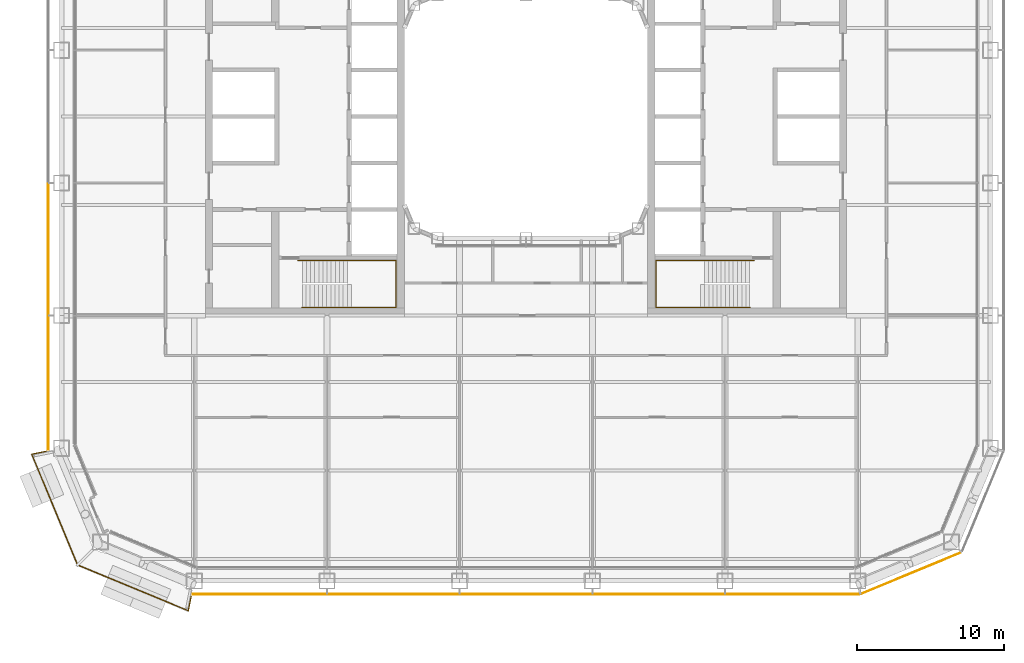
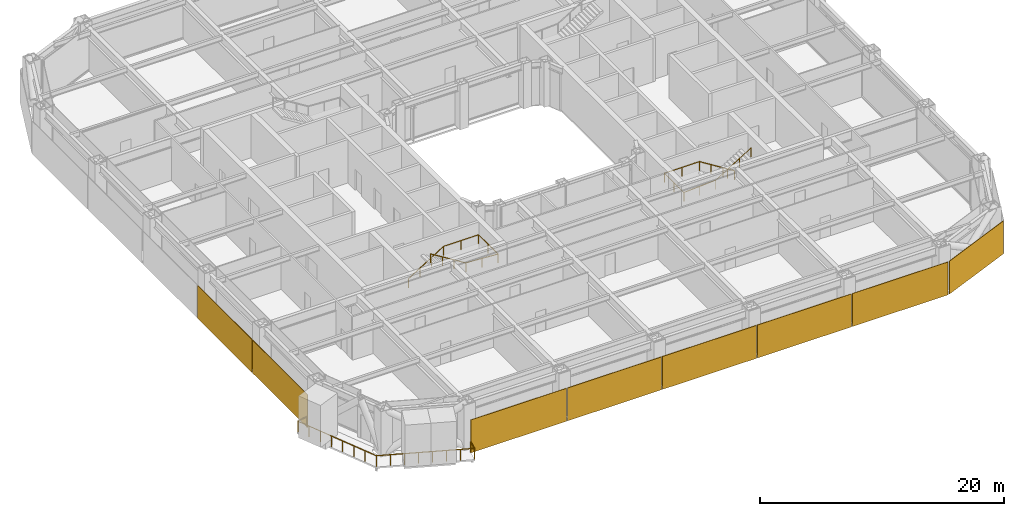
# One storey, part 23 of 27: 8 coverings, 3 railings.
"""IFC4 building model written with IfcOpenShell, lengths in metres."""

from ifc_helpers import new_model, si_unit, direction, frame, origin, origin_2d, place, context, subcontext, project, spatial, rectangle, circle, extrude, material, layer, layer_set, type_object, element, save


model = new_model("IFC4")

# Units and contexts
model_context = context("Model", 3, precision=1e-05, world=origin(), true_north=direction((0.0, 1.0)))
body_context = subcontext(model_context, "Body", "Model", "MODEL_VIEW")
ifc_project = project(units=[si_unit("LENGTHUNIT", "METRE"), si_unit("AREAUNIT", "SQUARE_METRE"), si_unit("VOLUMEUNIT", "CUBIC_METRE"), si_unit("PLANEANGLEUNIT", "RADIAN"), si_unit("MASSUNIT", "GRAM", prefix="KILO")], contexts=[model_context])

# Site, building, storey
site_placement = place(None, origin())
site = spatial("IfcSite", under=ifc_project, at=site_placement, CompositionType="ELEMENT")
building_placement = place(site_placement, origin())
building = spatial("IfcBuilding", under=site, at=building_placement, Name="Siwar Civic Tower", CompositionType="ELEMENT")
storey_placement = place(building_placement, frame((0.0, 0.0, 35.699951171875)))
storey = spatial("IfcBuildingStorey", under=building, at=storey_placement, Name="L07", CompositionType="ELEMENT", Elevation=35.699951171875)

# Railings
ifc_material_1 = material(Name="Stainless steel", Category="steel")
railing_type_1 = type_object("IfcRailingType", Name="CORE-STAIR-HANDRAIL", PredefinedType="HANDRAIL", material=ifc_material_1)
railing_1_placement = place(storey_placement, frame((-15.449951171875, -9.758056640625, 0.173095703125)))
element("IfcRailing", 1, at=railing_1_placement, inside=storey, type_object=railing_type_1, Name="Stair handrail ST2", PredefinedType="HANDRAIL", context=body_context, shape_type="SweptSolid", body=[
    extrude(circle(Radius=0.02001953125, at=origin_2d()), frame((0.0, 0.0, 0.8798828125), z_axis=(0.847063342986, 0.0, 0.531491950051), x_axis=(0.0, 1.0, 0.0)), (0.0, 0.0, 1.0), 3.90771484375),
    extrude(circle(Radius=0.02001953125, at=origin_2d()), frame((3.31005859375, 0.0, 2.956787109375), z_axis=(1.0, 0.0, 0.0), x_axis=(0.0, 1.0, 0.0)), (0.0, 0.0, 1.0), 3.331787109375),
    extrude(circle(Radius=0.02001953125, at=origin_2d()), frame((6.641845703125, 0.0, 2.956787109375), z_axis=(0.0, -1.0, 0.0), x_axis=(1.0, 0.0, 0.0)), (0.0, 0.0, 1.0), 3.183837890625),
    extrude(circle(Radius=0.02001953125, at=origin_2d()), frame((6.641845703125, -3.183837890625, 2.956787109375), z_axis=(-0.99837434197, 0.0, 0.056997134106), x_axis=(0.0, -1.0, 0.0)), (0.0, 0.0, 1.0), 3.036865234375),
    extrude(circle(Radius=0.02001953125, at=origin_2d()), frame((3.60986328125, -3.183837890625, 3.1298828125), z_axis=(-0.850606129759, 0.0, 0.525803396734), x_axis=(0.0, -1.0, 0.0)), (0.0, 0.0, 1.0), 3.949951171875),
    extrude(circle(Radius=0.02001953125, at=origin_2d()), origin(), (0.0, 0.0, 1.0), 0.85986328125),
    extrude(circle(Radius=0.02001953125, at=origin_2d()), frame((1.103271484375, 0.0, 0.6923828125)), (0.0, 0.0, 1.0), 0.85986328125),
    extrude(circle(Radius=0.02001953125, at=origin_2d()), frame((2.206787109375, 0.0, 1.384521484375)), (0.0, 0.0, 1.0), 0.85986328125),
    extrude(circle(Radius=0.02001953125, at=origin_2d()), frame((3.31005859375, 0.0, 2.076904296875)), (0.0, 0.0, 1.0), 0.85986328125),
    extrude(circle(Radius=0.02001953125, at=origin_2d()), frame((4.97607421875, 0.0, 2.076904296875)), (0.0, 0.0, 1.0), 0.85986328125),
    extrude(circle(Radius=0.02001953125, at=origin_2d()), frame((6.641845703125, 0.0, 2.076904296875)), (0.0, 0.0, 1.0), 0.85986328125),
    extrude(circle(Radius=0.02001953125, at=origin_2d()), frame((6.641845703125, -1.591796875, 2.076904296875)), (0.0, 0.0, 1.0), 0.85986328125),
    extrude(circle(Radius=0.02001953125, at=origin_2d()), frame((6.641845703125, -3.183837890625, 2.076904296875)), (0.0, 0.0, 1.0), 0.85986328125),
    extrude(circle(Radius=0.02001953125, at=origin_2d()), frame((5.1259765625, -3.183837890625, 2.16357421875)), (0.0, 0.0, 1.0), 0.85986328125),
    extrude(circle(Radius=0.02001953125, at=origin_2d()), frame((3.60986328125, -3.183837890625, 2.25)), (0.0, 0.0, 1.0), 0.85986328125),
    extrude(circle(Radius=0.02001953125, at=origin_2d()), frame((2.489990234375, -3.183837890625, 2.9423828125)), (0.0, 0.0, 1.0), 0.85986328125),
    extrude(circle(Radius=0.02001953125, at=origin_2d()), frame((1.369873046875, -3.183837890625, 3.634521484375)), (0.0, 0.0, 1.0), 0.85986328125),
    extrude(circle(Radius=0.02001953125, at=origin_2d()), frame((0.25, -3.183837890625, 4.326904296875)), (0.0, 0.0, 1.0), 0.85986328125),
])
railing_2_placement = place(storey_placement, frame((15.449951171875, -9.758056640625, 0.173095703125)))
element("IfcRailing", 2, at=railing_2_placement, inside=storey, type_object=railing_type_1, Name="Stair handrail ST4", PredefinedType="HANDRAIL", context=body_context, shape_type="SweptSolid", body=[
    extrude(circle(Radius=0.02001953125, at=origin_2d()), frame((0.0, 0.0, 0.8798828125), z_axis=(-0.847063342986, 0.0, 0.531491950051), x_axis=(0.0, -1.0, 0.0)), (0.0, 0.0, 1.0), 3.90771484375),
    extrude(circle(Radius=0.02001953125, at=origin_2d()), frame((-3.31005859375, 0.0, 2.956787109375), z_axis=(-1.0, 0.0, 0.0), x_axis=(0.0, -1.0, 0.0)), (0.0, 0.0, 1.0), 3.331787109375),
    extrude(circle(Radius=0.02001953125, at=origin_2d()), frame((-6.641845703125, 0.0, 2.956787109375), z_axis=(0.0, -1.0, 0.0), x_axis=(1.0, 0.0, 0.0)), (0.0, 0.0, 1.0), 3.183837890625),
    extrude(circle(Radius=0.02001953125, at=origin_2d()), frame((-6.641845703125, -3.183837890625, 2.956787109375), z_axis=(0.99837434197, 0.0, 0.056997134106), x_axis=(0.0, 1.0, 0.0)), (0.0, 0.0, 1.0), 3.036865234375),
    extrude(circle(Radius=0.02001953125, at=origin_2d()), frame((-3.60986328125, -3.183837890625, 3.1298828125), z_axis=(0.850606129759, 0.0, 0.525803396734), x_axis=(0.0, 1.0, 0.0)), (0.0, 0.0, 1.0), 3.949951171875),
    extrude(circle(Radius=0.02001953125, at=origin_2d()), origin(), (0.0, 0.0, 1.0), 0.85986328125),
    extrude(circle(Radius=0.02001953125, at=origin_2d()), frame((-1.103271484375, 0.0, 0.6923828125)), (0.0, 0.0, 1.0), 0.85986328125),
    extrude(circle(Radius=0.02001953125, at=origin_2d()), frame((-2.206787109375, 0.0, 1.384521484375)), (0.0, 0.0, 1.0), 0.85986328125),
    extrude(circle(Radius=0.02001953125, at=origin_2d()), frame((-3.31005859375, 0.0, 2.076904296875)), (0.0, 0.0, 1.0), 0.85986328125),
    extrude(circle(Radius=0.02001953125, at=origin_2d()), frame((-4.97607421875, 0.0, 2.076904296875)), (0.0, 0.0, 1.0), 0.85986328125),
    extrude(circle(Radius=0.02001953125, at=origin_2d()), frame((-6.641845703125, 0.0, 2.076904296875)), (0.0, 0.0, 1.0), 0.85986328125),
    extrude(circle(Radius=0.02001953125, at=origin_2d()), frame((-6.641845703125, -1.591796875, 2.076904296875)), (0.0, 0.0, 1.0), 0.85986328125),
    extrude(circle(Radius=0.02001953125, at=origin_2d()), frame((-6.641845703125, -3.183837890625, 2.076904296875)), (0.0, 0.0, 1.0), 0.85986328125),
    extrude(circle(Radius=0.02001953125, at=origin_2d()), frame((-5.1259765625, -3.183837890625, 2.16357421875)), (0.0, 0.0, 1.0), 0.85986328125),
    extrude(circle(Radius=0.02001953125, at=origin_2d()), frame((-3.60986328125, -3.183837890625, 2.25)), (0.0, 0.0, 1.0), 0.85986328125),
    extrude(circle(Radius=0.02001953125, at=origin_2d()), frame((-2.489990234375, -3.183837890625, 2.9423828125)), (0.0, 0.0, 1.0), 0.85986328125),
    extrude(circle(Radius=0.02001953125, at=origin_2d()), frame((-1.369873046875, -3.183837890625, 3.634521484375)), (0.0, 0.0, 1.0), 0.85986328125),
    extrude(circle(Radius=0.02001953125, at=origin_2d()), frame((-0.25, -3.183837890625, 4.326904296875)), (0.0, 0.0, 1.0), 0.85986328125),
])
ifc_material_2 = material(Name="Stainless steel 316", Category="steel")
railing_type_2 = type_object("IfcRailingType", Name="ENV-GUARD", PredefinedType="GUARDRAIL", material=ifc_material_2)
railing_3_placement = place(storey_placement, frame((-32.547119140625, -22.708251953125, 0.0)))
element("IfcRailing", 3, at=railing_3_placement, inside=storey, type_object=railing_type_2, Name="Balcony guard SW", PredefinedType="GUARDRAIL", context=body_context, shape_type="SweptSolid", body=[
    extrude(circle(Radius=0.02392578125, at=origin_2d()), frame((0.0, 0.0, 1.076171875), z_axis=(-0.980778661911, -0.195123592472, 0.0), x_axis=(0.195123592472, -0.980778661911, 0.0)), (0.0, 0.0, 1.0), 0.993408203125),
    extrude(circle(Radius=0.02392578125, at=origin_2d()), frame((-0.974365234375, -0.19384765625, 1.076171875), z_axis=(0.382176720888, -0.924089256518, 0.0), x_axis=(0.924089256518, 0.382176720888, 0.0)), (0.0, 0.0, 1.0), 8.129638671875),
    extrude(circle(Radius=0.02392578125, at=origin_2d()), frame((2.132568359375, -7.706298828125, 1.076171875), z_axis=(0.924089256518, -0.382176720888, 0.0), x_axis=(0.382176720888, 0.924089256518, 0.0)), (0.0, 0.0, 1.0), 8.129638671875),
    extrude(circle(Radius=0.02392578125, at=origin_2d()), frame((9.64501953125, -10.813232421875, 1.076171875), z_axis=(0.195123592472, 0.980778661911, 0.0), x_axis=(-0.980778661911, 0.195123592472, 0.0)), (0.0, 0.0, 1.0), 0.993408203125),
    extrude(circle(Radius=0.02099609375, at=origin_2d()), origin(), (0.0, 0.0, 1.0), 1.052001953125),
    extrude(circle(Radius=0.02099609375, at=origin_2d()), frame((-0.974365234375, -0.19384765625, 0.0)), (0.0, 0.0, 1.0), 1.052001953125),
    extrude(circle(Radius=0.02099609375, at=origin_2d()), frame((-0.530517578125, -1.26708984375, 0.0)), (0.0, 0.0, 1.0), 1.052001953125),
    extrude(circle(Radius=0.02099609375, at=origin_2d()), frame((-0.086669921875, -2.34033203125, 0.0)), (0.0, 0.0, 1.0), 1.052001953125),
    extrude(circle(Radius=0.02099609375, at=origin_2d()), frame((0.357177734375, -3.41357421875, 0.0)), (0.0, 0.0, 1.0), 1.052001953125),
    extrude(circle(Radius=0.02099609375, at=origin_2d()), frame((0.801025390625, -4.486572265625, 0.0)), (0.0, 0.0, 1.0), 1.052001953125),
    extrude(circle(Radius=0.02099609375, at=origin_2d()), frame((1.244873046875, -5.559814453125, 0.0)), (0.0, 0.0, 1.0), 1.052001953125),
    extrude(circle(Radius=0.02099609375, at=origin_2d()), frame((1.688720703125, -6.633056640625, 0.0)), (0.0, 0.0, 1.0), 1.052001953125),
    extrude(circle(Radius=0.02099609375, at=origin_2d()), frame((2.132568359375, -7.706298828125, 0.0)), (0.0, 0.0, 1.0), 1.052001953125),
    extrude(circle(Radius=0.02099609375, at=origin_2d()), frame((3.205810546875, -8.150146484375, 0.0)), (0.0, 0.0, 1.0), 1.052001953125),
    extrude(circle(Radius=0.02099609375, at=origin_2d()), frame((4.279052734375, -8.593994140625, 0.0)), (0.0, 0.0, 1.0), 1.052001953125),
    extrude(circle(Radius=0.02099609375, at=origin_2d()), frame((5.352294921875, -9.037841796875, 0.0)), (0.0, 0.0, 1.0), 1.052001953125),
    extrude(circle(Radius=0.02099609375, at=origin_2d()), frame((6.42529296875, -9.481689453125, 0.0)), (0.0, 0.0, 1.0), 1.052001953125),
    extrude(circle(Radius=0.02099609375, at=origin_2d()), frame((7.49853515625, -9.925537109375, 0.0)), (0.0, 0.0, 1.0), 1.052001953125),
    extrude(circle(Radius=0.02099609375, at=origin_2d()), frame((8.57177734375, -10.369384765625, 0.0)), (0.0, 0.0, 1.0), 1.052001953125),
    extrude(circle(Radius=0.02099609375, at=origin_2d()), frame((9.64501953125, -10.813232421875, 0.0)), (0.0, 0.0, 1.0), 1.052001953125),
    extrude(circle(Radius=0.02099609375, at=origin_2d()), frame((9.8388671875, -9.8388671875, 0.0)), (0.0, 0.0, 1.0), 1.052001953125),
])

# Coverings
ifc_material_3 = material(Name="Perforated aluminium cassette, pale metal", Category="aluminium")
ifc_layer_1 = layer(ifc_material_3, 0.050048828125)
ifc_layer_set_1 = layer_set([ifc_layer_1], Name="Perforated aluminium cassette, pale metal")
covering_type_1 = type_object("IfcCoveringType", Name="ENV-OUTER SKIN OS-3", PredefinedType="CLADDING", material=ifc_layer_set_1)
covering_1_placement = place(storey_placement, frame((26.115966796875, -30.976318359375, -0.14990234375), z_axis=(0.0, 0.0, 1.0), x_axis=(0.923879532511, 0.382683432365, 0.0)))
element("IfcCovering", 4, at=covering_1_placement, inside=storey, type_object=covering_type_1, Name="OUTER SKIN OS-3 SE1 1", PredefinedType="CLADDING", context=body_context, shape_type="SweptSolid", body=[
    extrude(rectangle(XDim=7.300048828125, YDim=0.050048828125, at=origin_2d()), origin(), (0.0, 0.0, 1.0), 3.300048828125),
])
covering_2_placement = place(storey_placement, frame((-32.39990234375, -9.0, -0.14990234375), z_axis=(0.0, 0.0, 1.0), x_axis=(0.0, -1.0, 0.0)))
element("IfcCovering", 5, at=covering_2_placement, inside=storey, type_object=covering_type_1, Name="OUTER SKIN OS-3 W 4", PredefinedType="CLADDING", context=body_context, shape_type="SweptSolid", body=[
    extrude(rectangle(XDim=8.89990234375, YDim=0.050048828125, at=origin_2d()), origin(), (0.0, 0.0, 1.0), 3.300048828125),
])
covering_3_placement = place(storey_placement, frame((-32.39990234375, -18.07958984375, -0.14990234375), z_axis=(0.0, 0.0, 1.0), x_axis=(0.0, -1.0, 0.0)))
element("IfcCovering", 6, at=covering_3_placement, inside=storey, type_object=covering_type_1, Name="OUTER SKIN OS-3 W 5", PredefinedType="CLADDING", context=body_context, shape_type="SweptSolid", body=[
    extrude(rectangle(XDim=9.05908203125, YDim=0.050048828125, at=origin_2d()), origin(), (0.0, 0.0, 1.0), 3.300048828125),
])
ifc_material_4 = material(Name="Perforated aluminium cassette, pale metal", Category="aluminium")
ifc_layer_2 = layer(ifc_material_4, 0.054931640625)
ifc_layer_set_2 = layer_set([ifc_layer_2], Name="Perforated aluminium cassette, pale metal")
covering_type_2 = type_object("IfcCoveringType", Name="ENV-OUTER SKIN OS-4", PredefinedType="CLADDING", material=ifc_layer_set_2)
covering_4_placement = place(storey_placement, frame((-18.07958984375, -32.39990234375, -0.14990234375), z_axis=(0.0, 0.0, 1.0), x_axis=(1.0, 0.0, 0.0)))
element("IfcCovering", 7, at=covering_4_placement, inside=storey, type_object=covering_type_2, Name="OUTER SKIN OS-4 S 1", PredefinedType="CLADDING", context=body_context, shape_type="SweptSolid", body=[
    extrude(rectangle(XDim=9.05908203125, YDim=0.054931640625, at=origin_2d()), origin(), (0.0, 0.0, 1.0), 3.300048828125),
])
for number, where, z_axis, x_axis, name in (
    (8, (-9.0, -32.39990234375, -0.14990234375), (0.0, 0.0, 1.0), (1.0, 0.0, 0.0), "OUTER SKIN OS-4 S 2"),
    (9, (0.0, -32.39990234375, -0.14990234375), (0.0, 0.0, 1.0), (1.0, 0.0, 0.0), "OUTER SKIN OS-4 S 3"),
    (10, (9.0, -32.39990234375, -0.14990234375), (0.0, 0.0, 1.0), (1.0, 0.0, 0.0), "OUTER SKIN OS-4 S 4"),
):
    element("IfcCovering", number, at=place(storey_placement, frame(where, z_axis=z_axis, x_axis=x_axis)), inside=storey, type_object=covering_type_2, Name=name, PredefinedType="CLADDING", context=body_context, shape_type="SweptSolid", body=[
        extrude(rectangle(XDim=8.89990234375, YDim=0.054931640625, at=origin_2d()), origin(), (0.0, 0.0, 1.0), 3.300048828125),
    ])
covering_5_placement = place(storey_placement, frame((18.07958984375, -32.39990234375, -0.14990234375), z_axis=(0.0, 0.0, 1.0), x_axis=(1.0, 0.0, 0.0)))
element("IfcCovering", 11, at=covering_5_placement, inside=storey, type_object=covering_type_2, Name="OUTER SKIN OS-4 S 5", PredefinedType="CLADDING", context=body_context, shape_type="SweptSolid", body=[
    extrude(rectangle(XDim=9.05908203125, YDim=0.054931640625, at=origin_2d()), origin(), (0.0, 0.0, 1.0), 3.300048828125),
])

save(model, "model.ifc")
